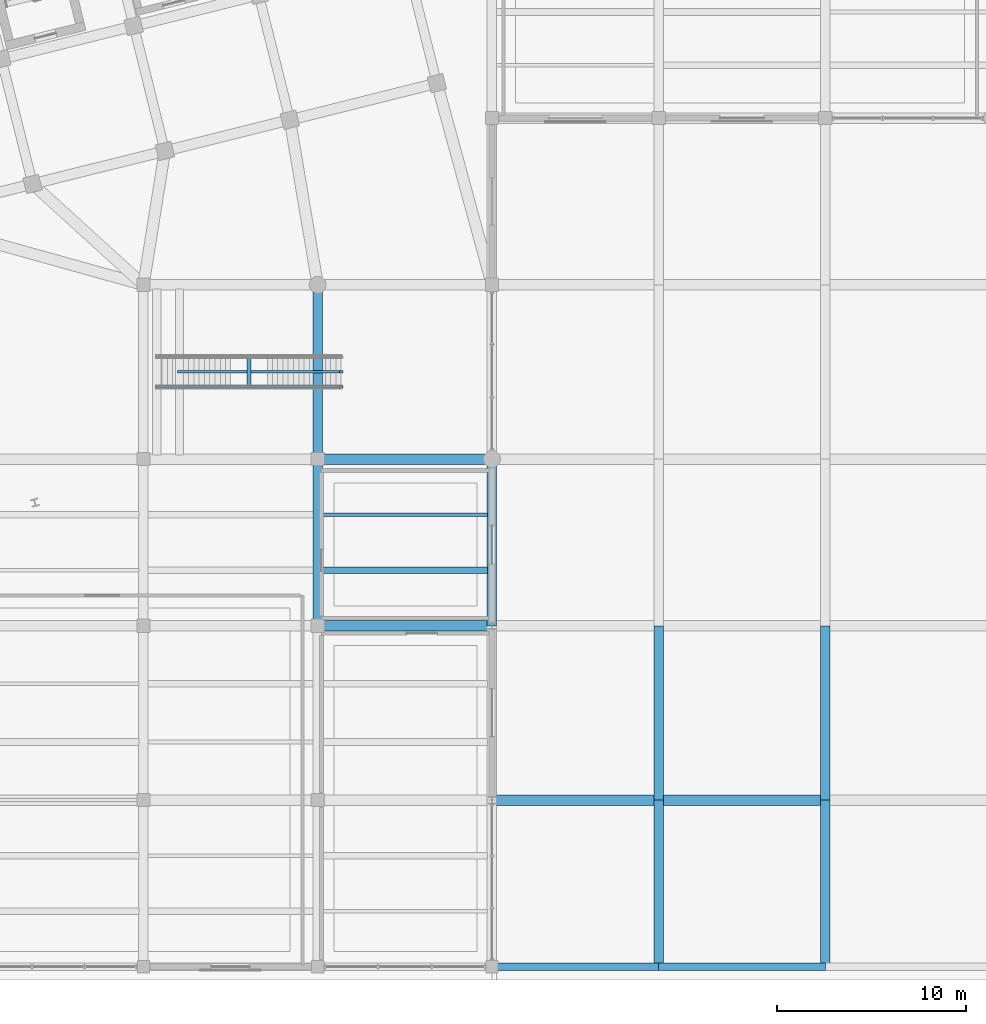
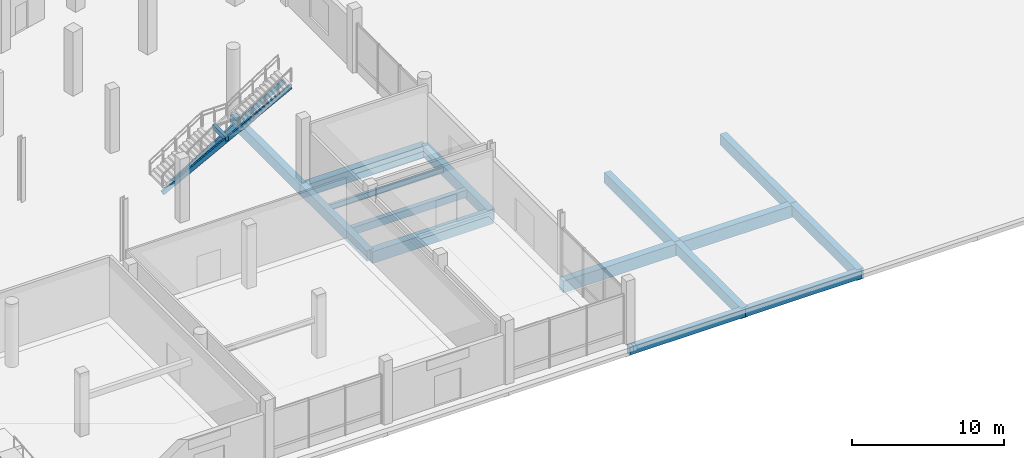
# One storey, part 16 of 73: 16 beams, 2 members.
"""IFC4 building model written with IfcOpenShell, lengths in metres."""

from ifc_helpers import new_model, si_unit, direction, frame, origin, origin_2d, place, context, subcontext, project, spatial, rectangle, i_section, extrude, material, material_profile, profile_set, type_object, element, save


model = new_model("IFC4")

# Units and contexts
model_context = context("Model", 3, precision=1e-05, world=origin(), true_north=direction((0.0, 1.0)))
body_context = subcontext(model_context, "Body", "Model", "MODEL_VIEW")
ifc_project = project(units=[si_unit("LENGTHUNIT", "METRE"), si_unit("AREAUNIT", "SQUARE_METRE"), si_unit("VOLUMEUNIT", "CUBIC_METRE"), si_unit("PLANEANGLEUNIT", "RADIAN"), si_unit("MASSUNIT", "GRAM", prefix="KILO")], contexts=[model_context])

# Site, building, storey
site_placement = place(None, origin())
site = spatial("IfcSite", under=ifc_project, at=site_placement, CompositionType="ELEMENT")
building_placement = place(site_placement, origin())
building = spatial("IfcBuilding", under=site, at=building_placement, Name="Meriwether Solvik Hall", CompositionType="ELEMENT")
storey_placement = place(building_placement, origin())
storey = spatial("IfcBuildingStorey", under=building, at=storey_placement, Name="L00", CompositionType="ELEMENT", Elevation=0.0)

# Beams
ifc_material_1 = material(Name="Glulam Douglas-Fir 24F-V8 GL28h", Category="wood")
ifc_material_profile_1 = material_profile(ifc_material_1, rectangle(XDim=0.221923828125, YDim=0.340087890625, at=origin_2d()), Name="GLB-222X340")
ifc_profile_set_1 = profile_set([ifc_material_profile_1], Name="Glulam Douglas-Fir 24F-V8 GL28h")
beam_type_1 = type_object("IfcBeamType", Name="BM-LND-GL-222X340", PredefinedType="BEAM", material=ifc_profile_set_1)
beam_1_placement = place(storey_placement, frame((101.3701171875, 35.75, 2.205078125), z_axis=(0.0, 1.0, 0.0), x_axis=(-1.0, 0.0, 0.0)))
element("IfcBeam", 1, at=beam_1_placement, inside=storey, type_object=beam_type_1, Name="Stair ST-AT1 Landing Cross-Bearer", PredefinedType="BEAM", context=body_context, shape_type="SweptSolid", body=[
    extrude(rectangle(XDim=0.221923828125, YDim=0.340087890625, at=origin_2d()), origin(), (0.0, 0.0, 1.0), 1.699951171875),
])
ifc_material_2 = material(Name="Concrete C40/50", Category="concrete")
ifc_material_profile_2 = material_profile(ifc_material_2, rectangle(XDim=0.35009765625, YDim=0.60009765625, at=origin_2d()), Name="RCB-350X600")
ifc_profile_set_2 = profile_set([ifc_material_profile_2], Name="Concrete C40/50")
beam_type_2 = type_object("IfcBeamType", Name="BM-RC-350X600", PredefinedType="JOIST", material=ifc_profile_set_2)
beam_2_placement = place(storey_placement, frame((105.2451171875, 26.13330078125, -0.659912109375), z_axis=(1.0, 0.0, 0.0), x_axis=(0.0, 1.0, 0.0)))
element("IfcBeam", 2, at=beam_2_placement, inside=storey, type_object=beam_type_2, Name="Secondary Floor Joist 12/C_J1 (L00)", PredefinedType="JOIST", context=body_context, shape_type="SweptSolid", body=[
    extrude(rectangle(XDim=0.35009765625, YDim=0.60009765625, at=origin_2d()), origin(), (0.0, 0.0, 1.0), 8.7099609375),
])
ifc_material_3 = material(Name="Concrete C40/50", Category="concrete")
ifc_material_profile_3 = material_profile(ifc_material_3, rectangle(XDim=0.39990234375, YDim=0.64990234375, at=origin_2d()), Name="RCB-400X650")
ifc_profile_set_3 = profile_set([ifc_material_profile_3], Name="Concrete C40/50")
beam_type_3 = type_object("IfcBeamType", Name="BM-RC-400X650", PredefinedType="SPANDREL", material=ifc_profile_set_3)
for number, where, z_axis, x_axis, name in (
    (3, (114.199951171875, 5.199951171875, -0.68505859375), (1.0, 0.0, 0.0), (0.0, 1.0, 0.0), "Podium Girder A:13-14 (L00)"),
    (4, (123.0, 5.199951171875, -0.68505859375), (1.0, 0.0, 0.0), (0.0, 1.0, 0.0), "Podium Girder A:14-15 (L00)"),
):
    element("IfcBeam", number, at=place(storey_placement, frame(where, z_axis=z_axis, x_axis=x_axis)), inside=storey, type_object=beam_type_3, Name=name, PredefinedType="SPANDREL", context=body_context, shape_type="SweptSolid", body=[
        extrude(rectangle(XDim=0.39990234375, YDim=0.64990234375, at=origin_2d()), origin(), (0.0, 0.0, 1.0), 8.800048828125),
    ])
ifc_material_4 = material(Name="Concrete C40/50", Category="concrete")
ifc_material_profile_4 = material_profile(ifc_material_4, rectangle(XDim=0.5, YDim=0.85009765625, at=origin_2d()), Name="RCB-500X850")
ifc_profile_set_4 = profile_set([ifc_material_profile_4], Name="Concrete C40/50")
beam_type_4 = type_object("IfcBeamType", Name="BM-RC-500X850", PredefinedType="BEAM", material=ifc_profile_set_4)
beam_3_placement = place(storey_placement, frame((105.0, 23.199951171875, -0.784912109375), z_axis=(0.0, 1.0, 0.0), x_axis=(-1.0, 0.0, 0.0)))
element("IfcBeam", 5, at=beam_3_placement, inside=storey, type_object=beam_type_4, Name="Podium Girder 12:C-D (L00)", PredefinedType="BEAM", context=body_context, shape_type="SweptSolid", body=[
    extrude(rectangle(XDim=0.5, YDim=0.85009765625, at=origin_2d()), origin(), (0.0, 0.0, 1.0), 8.800048828125),
])
beam_4_placement = place(storey_placement, frame((105.0, 32.0, -0.784912109375), z_axis=(0.0, 1.0, 0.0), x_axis=(-1.0, 0.0, 0.0)))
element("IfcBeam", 6, at=beam_4_placement, inside=storey, type_object=beam_type_4, Name="Podium Girder 12:D-E (L00)", PredefinedType="BEAM", context=body_context, shape_type="SweptSolid", body=[
    extrude(rectangle(XDim=0.5, YDim=0.85009765625, at=origin_2d()), origin(), (0.0, 0.0, 1.0), 9.199951171875),
])
for number, where, z_axis, x_axis, name in (
    (7, (114.199951171875, 23.199951171875, -0.784912109375), (0.0, 1.0, 0.0), (-1.0, 0.0, 0.0), "Podium Girder 13:C-D (L00)"),
    (8, (123.0, 5.199951171875, -0.784912109375), (0.0, 1.0, 0.0), (-1.0, 0.0, 0.0), "Podium Girder 14:A-B (L00)"),
):
    element("IfcBeam", number, at=place(storey_placement, frame(where, z_axis=z_axis, x_axis=x_axis)), inside=storey, type_object=beam_type_4, Name=name, PredefinedType="BEAM", context=body_context, shape_type="SweptSolid", body=[
        extrude(rectangle(XDim=0.5, YDim=0.85009765625, at=origin_2d()), origin(), (0.0, 0.0, 1.0), 8.800048828125),
    ])
beam_5_placement = place(storey_placement, frame((123.0, 14.0, -0.784912109375), z_axis=(0.0, 1.0, 0.0), x_axis=(-1.0, 0.0, 0.0)))
element("IfcBeam", 9, at=beam_5_placement, inside=storey, type_object=beam_type_4, Name="Podium Girder 14:B-C (L00)", PredefinedType="BEAM", context=body_context, shape_type="SweptSolid", body=[
    extrude(rectangle(XDim=0.5, YDim=0.85009765625, at=origin_2d()), origin(), (0.0, 0.0, 1.0), 9.199951171875),
])
beam_6_placement = place(storey_placement, frame((131.800048828125, 5.199951171875, -0.784912109375), z_axis=(0.0, 1.0, 0.0), x_axis=(-1.0, 0.0, 0.0)))
element("IfcBeam", 10, at=beam_6_placement, inside=storey, type_object=beam_type_4, Name="Podium Girder 15:A-B (L00)", PredefinedType="BEAM", context=body_context, shape_type="SweptSolid", body=[
    extrude(rectangle(XDim=0.5, YDim=0.85009765625, at=origin_2d()), origin(), (0.0, 0.0, 1.0), 8.800048828125),
])
beam_7_placement = place(storey_placement, frame((131.800048828125, 14.0, -0.784912109375), z_axis=(0.0, 1.0, 0.0), x_axis=(-1.0, 0.0, 0.0)))
element("IfcBeam", 11, at=beam_7_placement, inside=storey, type_object=beam_type_4, Name="Podium Girder 15:B-C (L00)", PredefinedType="BEAM", context=body_context, shape_type="SweptSolid", body=[
    extrude(rectangle(XDim=0.5, YDim=0.85009765625, at=origin_2d()), origin(), (0.0, 0.0, 1.0), 9.199951171875),
])
ifc_material_5 = material(Name="Concrete C40/50", Category="concrete")
ifc_material_profile_5 = material_profile(ifc_material_5, rectangle(XDim=0.550048828125, YDim=0.949951171875, at=origin_2d()), Name="RCB-550X950")
ifc_profile_set_5 = profile_set([ifc_material_profile_5], Name="Concrete C40/50")
beam_type_5 = type_object("IfcBeamType", Name="BM-RC-550X950", PredefinedType="BEAM", material=ifc_profile_set_5)
for number, where, z_axis, x_axis, name in (
    (12, (114.199951171875, 14.0, -0.8349609375), (1.0, 0.0, 0.0), (0.0, 1.0, 0.0), "Podium Girder B:13-14 (L00)"),
    (13, (123.0, 14.0, -0.8349609375), (1.0, 0.0, 0.0), (0.0, 1.0, 0.0), "Podium Girder B:14-15 (L00)"),
):
    element("IfcBeam", number, at=place(storey_placement, frame(where, z_axis=z_axis, x_axis=x_axis)), inside=storey, type_object=beam_type_5, Name=name, PredefinedType="BEAM", context=body_context, shape_type="SweptSolid", body=[
        extrude(rectangle(XDim=0.550048828125, YDim=0.949951171875, at=origin_2d()), origin(), (0.0, 0.0, 1.0), 8.800048828125),
    ])
for number, where, z_axis, x_axis, name in (
    (14, (105.0, 23.199951171875, -0.8349609375), (1.0, 0.0, 0.0), (0.0, 1.0, 0.0), "Podium Girder C:12-13 (L00)"),
    (15, (105.0, 32.0, -0.8349609375), (1.0, 0.0, 0.0), (0.0, 1.0, 0.0), "Podium Girder D:12-13 (L00)"),
):
    element("IfcBeam", number, at=place(storey_placement, frame(where, z_axis=z_axis, x_axis=x_axis)), inside=storey, type_object=beam_type_5, Name=name, PredefinedType="BEAM", context=body_context, shape_type="SweptSolid", body=[
        extrude(rectangle(XDim=0.550048828125, YDim=0.949951171875, at=origin_2d()), origin(), (0.0, 0.0, 1.0), 9.199951171875),
    ])
ifc_material_6 = material(Name="Steel A992 Grade 50", Category="steel")
ifc_material_profile_6 = material_profile(ifc_material_6, i_section(OverallWidth=0.19091796875, OverallDepth=0.45703125, WebThickness=0.009033203125, FlangeThickness=0.014404296875, at=origin_2d()), Name="W18X50")
ifc_profile_set_6 = profile_set([ifc_material_profile_6], Name="Steel A992 Grade 50")
beam_type_6 = type_object("IfcBeamType", Name="BM-STL-W18X50", PredefinedType="JOIST", material=ifc_profile_set_6)
beam_8_placement = place(storey_placement, frame((105.2451171875, 29.066650390625, -0.58837890625), z_axis=(1.0, 0.0, 0.0), x_axis=(0.0, 1.0, 0.0)))
element("IfcBeam", 16, at=beam_8_placement, inside=storey, type_object=beam_type_6, Name="Secondary Floor Joist 12/C_J2 (L00)", PredefinedType="JOIST", context=body_context, shape_type="SweptSolid", body=[
    extrude(i_section(OverallWidth=0.19091796875, OverallDepth=0.45703125, WebThickness=0.009033203125, FlangeThickness=0.014404296875, at=origin_2d()), origin(), (0.0, 0.0, 1.0), 8.7099609375),
])

# Members
ifc_material_7 = material(Name="Glulam Douglas-Fir 24F-V8 GL28h", Category="wood")
ifc_material_profile_7 = material_profile(ifc_material_7, rectangle(XDim=0.1298828125, YDim=0.3798828125, at=origin_2d()), Name="GLM-130X380")
ifc_profile_set_7 = profile_set([ifc_material_profile_7], Name="Glulam Douglas-Fir 24F-V8 GL28h")
member_type = type_object("IfcMemberType", Name="MEM-STR-GL130", PredefinedType="STRINGER", material=ifc_profile_set_7)
member_1_placement = place(storey_placement, frame((96.5, 35.820068359375, -0.47998046875), z_axis=(0.883658576783, 0.0, 0.468131946868), x_axis=(0.0, 1.0, 0.0)))
element("IfcMember", 17, at=member_1_placement, inside=storey, type_object=member_type, Name="Stair ST-AT1 Glulam Stringer L", PredefinedType="STRINGER", context=body_context, shape_type="SweptSolid", body=[
    extrude(rectangle(XDim=0.1298828125, YDim=0.3798828125, at=origin_2d()), origin(), (0.0, 0.0, 1.0), 11.0224609375),
])
member_2_placement = place(storey_placement, frame((97.7021484375, 36.60009765625, -0.47998046875), z_axis=(0.85584309521, 0.0, 0.517235532792), x_axis=(0.0, 1.0, 0.0)))
element("IfcMember", 18, at=member_2_placement, inside=storey, type_object=member_type, Name="Stair ST-AT1 Glulam Stringer C", PredefinedType="STRINGER", context=body_context, shape_type="SweptSolid", body=[
    extrude(rectangle(XDim=0.1298828125, YDim=0.3798828125, at=origin_2d()), origin(), (0.0, 0.0, 1.0), 9.975830078125),
])

save(model, "model.ifc")
